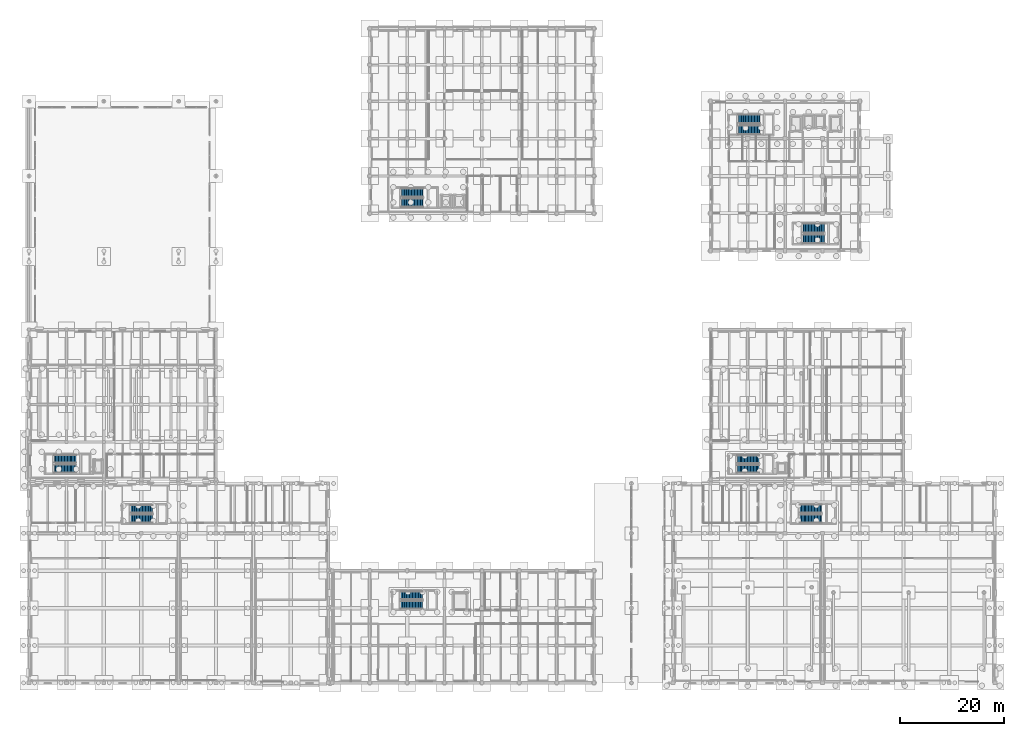
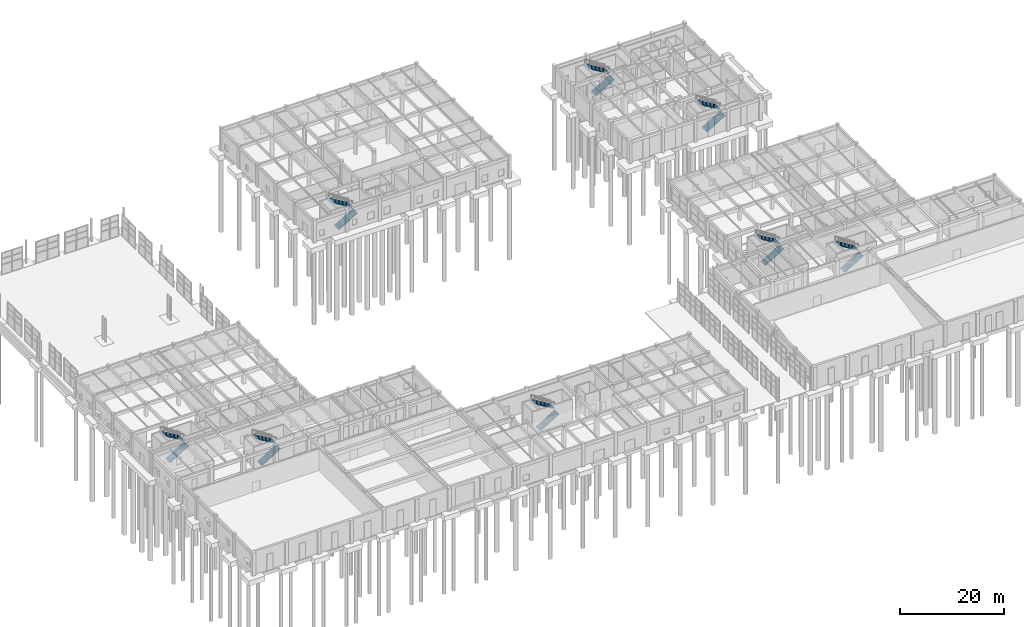
# One storey, part 79 of 91: 16 stair flights, 8 elements without a shape of their own.
"""IFC4 building model written with IfcOpenShell, lengths in metres."""

from ifc_helpers import new_model, si_unit, direction, frame, origin, place, context, subcontext, project, spatial, polyline, outline, extrude, material, type_object, element, aggregate, save


model = new_model("IFC4")

# Units and contexts
model_context = context("Model", 3, precision=1e-05, world=origin(), true_north=direction((0.0, 1.0)))
body_context = subcontext(model_context, "Body", "Model", "MODEL_VIEW")
ifc_project = project(units=[si_unit("LENGTHUNIT", "METRE"), si_unit("AREAUNIT", "SQUARE_METRE"), si_unit("VOLUMEUNIT", "CUBIC_METRE"), si_unit("PLANEANGLEUNIT", "RADIAN"), si_unit("MASSUNIT", "GRAM", prefix="KILO")], contexts=[model_context])

# Site, building, storey
site_placement = place(None, origin())
site = spatial("IfcSite", under=ifc_project, at=site_placement, CompositionType="ELEMENT")
building_placement = place(site_placement, origin())
building = spatial("IfcBuilding", under=site, at=building_placement, Name="Bramveld Media Centre", CompositionType="ELEMENT")
storey_placement = place(building_placement, origin())
storey = spatial("IfcBuildingStorey", under=building, at=storey_placement, Name="L00", CompositionType="ELEMENT", Elevation=0.0)

# Stair, stair flights
ifc_material_1 = material(Name="Concrete C40/50", Category="concrete")
stair_type_1 = type_object("IfcStairType", Name="STAIR-ST-01-32R-1800", PredefinedType="HALF_TURN_STAIR", material=ifc_material_1)
stair_1_placement = place(storey_placement, origin())
stair_1 = element("IfcStair", 1, at=stair_1_placement, inside=storey, type_object=stair_type_1, Name="L00 Core A1 Pressurized Firefighting Stair", PredefinedType="HALF_TURN_STAIR")
ifc_material_2 = material(Name="Concrete C40/50", Category="concrete")
stair_flight_type_1 = type_object("IfcStairFlightType", Name="FLIGHT-ST-01-16R-1688", PredefinedType="STRAIGHT", material=ifc_material_2)
stair_flight_1_placement = place(storey_placement, frame((136.60009765625, 106.5, 0.0), z_axis=(0.0, 0.0, 1.0), x_axis=(1.0, 0.0, 0.0)))
stair_flight_1 = element("IfcStairFlight", 2, at=stair_flight_1_placement, type_object=stair_flight_type_1, Name="ST-01 flight 1", NumberOfRisers=16, NumberOfTreads=15, PredefinedType="STRAIGHT", RiserHeight=0.16875, TreadLength=0.28, context=body_context, shape_type="SweptSolid", body=[
    extrude(outline(polyline([(0.0, 0.0), (0.0, 0.168701171875), (0.280029296875, 0.168701171875), (0.280029296875, 0.33740234375), (0.56005859375, 0.33740234375), (0.56005859375, 0.50634765625), (0.840087890625, 0.50634765625), (0.840087890625, 0.675048828125), (1.1201171875, 0.675048828125), (1.1201171875, 0.84375), (1.39990234375, 0.84375), (1.39990234375, 1.012451171875), (1.679931640625, 1.012451171875), (1.679931640625, 1.18115234375), (1.9599609375, 1.18115234375), (1.9599609375, 1.35009765625), (2.239990234375, 1.35009765625), (2.239990234375, 1.518798828125), (2.52001953125, 1.518798828125), (2.52001953125, 1.6875), (2.800048828125, 1.6875), (2.800048828125, 1.856201171875), (3.080078125, 1.856201171875), (3.080078125, 2.02490234375), (3.360107421875, 2.02490234375), (3.360107421875, 2.19384765625), (3.639892578125, 2.19384765625), (3.639892578125, 2.362548828125), (3.919921875, 2.362548828125), (3.919921875, 2.53125), (4.199951171875, 2.53125), (4.199951171875, 2.699951171875), (4.199951171875, 2.344482421875), (0.309814453125, 0.0), (0.0, 0.0)])), frame((0.0, 0.89990234375, 0.0), z_axis=(0.0, -1.0, 0.0), x_axis=(1.0, 0.0, 0.0)), (0.0, 0.0, 1.0), 1.800048828125),
])
stair_flight_2_placement = place(storey_placement, frame((140.800048828125, 108.550048828125, 2.699951171875), z_axis=(0.0, 0.0, 1.0), x_axis=(-1.0, 0.0, 0.0)))
stair_flight_2 = element("IfcStairFlight", 3, at=stair_flight_2_placement, type_object=stair_flight_type_1, Name="ST-01 flight 2", NumberOfRisers=16, NumberOfTreads=15, PredefinedType="STRAIGHT", RiserHeight=0.16875, TreadLength=0.28, context=body_context, shape_type="SweptSolid", body=[
    extrude(outline(polyline([(0.0, 0.0), (0.0, 0.168701171875), (0.280029296875, 0.168701171875), (0.280029296875, 0.33740234375), (0.56005859375, 0.33740234375), (0.56005859375, 0.50634765625), (0.840087890625, 0.50634765625), (0.840087890625, 0.675048828125), (1.1201171875, 0.675048828125), (1.1201171875, 0.84375), (1.39990234375, 0.84375), (1.39990234375, 1.012451171875), (1.679931640625, 1.012451171875), (1.679931640625, 1.18115234375), (1.9599609375, 1.18115234375), (1.9599609375, 1.35009765625), (2.239990234375, 1.35009765625), (2.239990234375, 1.518798828125), (2.52001953125, 1.518798828125), (2.52001953125, 1.6875), (2.800048828125, 1.6875), (2.800048828125, 1.856201171875), (3.080078125, 1.856201171875), (3.080078125, 2.02490234375), (3.360107421875, 2.02490234375), (3.360107421875, 2.19384765625), (3.639892578125, 2.19384765625), (3.639892578125, 2.362548828125), (3.919921875, 2.362548828125), (3.919921875, 2.53125), (4.199951171875, 2.53125), (4.199951171875, 2.699951171875), (4.199951171875, 2.344482421875), (0.309814453125, 0.0), (0.0, 0.0)])), frame((0.0, 0.89990234375, 0.0), z_axis=(0.0, -1.0, 0.0), x_axis=(1.0, 0.0, 0.0)), (0.0, 0.0, 1.0), 1.800048828125),
])
aggregate(stair_1, [stair_flight_1, stair_flight_2])

ifc_material_3 = material(Name="Concrete C40/50", Category="concrete")
stair_type_2 = type_object("IfcStairType", Name="STAIR-ST-02-32R-1800", PredefinedType="HALF_TURN_STAIR", material=ifc_material_3)
stair_2_placement = place(storey_placement, origin())
stair_2 = element("IfcStair", 4, at=stair_2_placement, inside=storey, type_object=stair_type_2, Name="L00 Core A2 Pressurized Escape Stair", PredefinedType="HALF_TURN_STAIR")
ifc_material_4 = material(Name="Concrete C40/50", Category="concrete")
stair_flight_type_2 = type_object("IfcStairFlightType", Name="FLIGHT-ST-02-16R-1688", PredefinedType="STRAIGHT", material=ifc_material_4)
stair_flight_3_placement = place(storey_placement, frame((149.0, 85.5, 0.0), z_axis=(0.0, 0.0, 1.0), x_axis=(1.0, 0.0, 0.0)))
stair_flight_3 = element("IfcStairFlight", 5, at=stair_flight_3_placement, type_object=stair_flight_type_2, Name="ST-02 flight 1", NumberOfRisers=16, NumberOfTreads=15, PredefinedType="STRAIGHT", RiserHeight=0.16875, TreadLength=0.28, context=body_context, shape_type="SweptSolid", body=[
    extrude(outline(polyline([(0.0, 0.0), (0.0, 0.168701171875), (0.280029296875, 0.168701171875), (0.280029296875, 0.33740234375), (0.56005859375, 0.33740234375), (0.56005859375, 0.50634765625), (0.840087890625, 0.50634765625), (0.840087890625, 0.675048828125), (1.1201171875, 0.675048828125), (1.1201171875, 0.84375), (1.39990234375, 0.84375), (1.39990234375, 1.012451171875), (1.679931640625, 1.012451171875), (1.679931640625, 1.18115234375), (1.9599609375, 1.18115234375), (1.9599609375, 1.35009765625), (2.239990234375, 1.35009765625), (2.239990234375, 1.518798828125), (2.52001953125, 1.518798828125), (2.52001953125, 1.6875), (2.800048828125, 1.6875), (2.800048828125, 1.856201171875), (3.080078125, 1.856201171875), (3.080078125, 2.02490234375), (3.360107421875, 2.02490234375), (3.360107421875, 2.19384765625), (3.639892578125, 2.19384765625), (3.639892578125, 2.362548828125), (3.919921875, 2.362548828125), (3.919921875, 2.53125), (4.199951171875, 2.53125), (4.199951171875, 2.699951171875), (4.199951171875, 2.344482421875), (0.309814453125, 0.0), (0.0, 0.0)])), frame((0.0, 0.89990234375, 0.0), z_axis=(0.0, -1.0, 0.0), x_axis=(1.0, 0.0, 0.0)), (0.0, 0.0, 1.0), 1.800048828125),
])
stair_flight_4_placement = place(storey_placement, frame((153.199951171875, 87.550048828125, 2.699951171875), z_axis=(0.0, 0.0, 1.0), x_axis=(-1.0, 0.0, 0.0)))
stair_flight_4 = element("IfcStairFlight", 6, at=stair_flight_4_placement, type_object=stair_flight_type_2, Name="ST-02 flight 2", NumberOfRisers=16, NumberOfTreads=15, PredefinedType="STRAIGHT", RiserHeight=0.16875, TreadLength=0.28, context=body_context, shape_type="SweptSolid", body=[
    extrude(outline(polyline([(0.0, 0.0), (0.0, 0.168701171875), (0.280029296875, 0.168701171875), (0.280029296875, 0.33740234375), (0.56005859375, 0.33740234375), (0.56005859375, 0.50634765625), (0.840087890625, 0.50634765625), (0.840087890625, 0.675048828125), (1.1201171875, 0.675048828125), (1.1201171875, 0.84375), (1.39990234375, 0.84375), (1.39990234375, 1.012451171875), (1.679931640625, 1.012451171875), (1.679931640625, 1.18115234375), (1.9599609375, 1.18115234375), (1.9599609375, 1.35009765625), (2.239990234375, 1.35009765625), (2.239990234375, 1.518798828125), (2.52001953125, 1.518798828125), (2.52001953125, 1.6875), (2.800048828125, 1.6875), (2.800048828125, 1.856201171875), (3.080078125, 1.856201171875), (3.080078125, 2.02490234375), (3.360107421875, 2.02490234375), (3.360107421875, 2.19384765625), (3.639892578125, 2.19384765625), (3.639892578125, 2.362548828125), (3.919921875, 2.362548828125), (3.919921875, 2.53125), (4.199951171875, 2.53125), (4.199951171875, 2.699951171875), (4.199951171875, 2.344482421875), (0.309814453125, 0.0), (0.0, 0.0)])), frame((0.0, 0.89990234375, 0.0), z_axis=(0.0, -1.0, 0.0), x_axis=(1.0, 0.0, 0.0)), (0.0, 0.0, 1.0), 1.800048828125),
])
aggregate(stair_2, [stair_flight_3, stair_flight_4])

ifc_material_5 = material(Name="Concrete C40/50", Category="concrete")
stair_type_3 = type_object("IfcStairType", Name="STAIR-ST-03-32R-1650", PredefinedType="HALF_TURN_STAIR", material=ifc_material_5)
stair_3_placement = place(storey_placement, origin())
stair_3 = element("IfcStair", 7, at=stair_3_placement, inside=storey, type_object=stair_type_3, Name="L00 Grand Cinema Wing Escape Stair", PredefinedType="HALF_TURN_STAIR")
ifc_material_6 = material(Name="Concrete C40/50", Category="concrete")
stair_flight_type_3 = type_object("IfcStairFlightType", Name="FLIGHT-ST-03-16R-1688", PredefinedType="STRAIGHT", material=ifc_material_6)
stair_flight_5_placement = place(storey_placement, frame((148.449951171875, 31.625, 0.0), z_axis=(0.0, 0.0, 1.0), x_axis=(1.0, 0.0, 0.0)))
stair_flight_5 = element("IfcStairFlight", 8, at=stair_flight_5_placement, type_object=stair_flight_type_3, Name="ST-03 flight 1", NumberOfRisers=16, NumberOfTreads=15, PredefinedType="STRAIGHT", RiserHeight=0.16875, TreadLength=0.28, context=body_context, shape_type="SweptSolid", body=[
    extrude(outline(polyline([(0.0, 0.0), (0.0, 0.168701171875), (0.280029296875, 0.168701171875), (0.280029296875, 0.33740234375), (0.56005859375, 0.33740234375), (0.56005859375, 0.50634765625), (0.840087890625, 0.50634765625), (0.840087890625, 0.675048828125), (1.1201171875, 0.675048828125), (1.1201171875, 0.84375), (1.39990234375, 0.84375), (1.39990234375, 1.012451171875), (1.679931640625, 1.012451171875), (1.679931640625, 1.18115234375), (1.9599609375, 1.18115234375), (1.9599609375, 1.35009765625), (2.239990234375, 1.35009765625), (2.239990234375, 1.518798828125), (2.52001953125, 1.518798828125), (2.52001953125, 1.6875), (2.800048828125, 1.6875), (2.800048828125, 1.856201171875), (3.080078125, 1.856201171875), (3.080078125, 2.02490234375), (3.360107421875, 2.02490234375), (3.360107421875, 2.19384765625), (3.639892578125, 2.19384765625), (3.639892578125, 2.362548828125), (3.919921875, 2.362548828125), (3.919921875, 2.53125), (4.199951171875, 2.53125), (4.199951171875, 2.699951171875), (4.199951171875, 2.344482421875), (0.309814453125, 0.0), (0.0, 0.0)])), frame((0.0, 0.824951171875, 0.0), z_axis=(0.0, -1.0, 0.0), x_axis=(1.0, 0.0, 0.0)), (0.0, 0.0, 1.0), 1.64990234375),
])
stair_flight_6_placement = place(storey_placement, frame((152.64990234375, 33.52490234375, 2.699951171875), z_axis=(0.0, 0.0, 1.0), x_axis=(-1.0, 0.0, 0.0)))
stair_flight_6 = element("IfcStairFlight", 9, at=stair_flight_6_placement, type_object=stair_flight_type_3, Name="ST-03 flight 2", NumberOfRisers=16, NumberOfTreads=15, PredefinedType="STRAIGHT", RiserHeight=0.16875, TreadLength=0.28, context=body_context, shape_type="SweptSolid", body=[
    extrude(outline(polyline([(0.0, 0.0), (0.0, 0.168701171875), (0.280029296875, 0.168701171875), (0.280029296875, 0.33740234375), (0.56005859375, 0.33740234375), (0.56005859375, 0.50634765625), (0.840087890625, 0.50634765625), (0.840087890625, 0.675048828125), (1.1201171875, 0.675048828125), (1.1201171875, 0.84375), (1.39990234375, 0.84375), (1.39990234375, 1.012451171875), (1.679931640625, 1.012451171875), (1.679931640625, 1.18115234375), (1.9599609375, 1.18115234375), (1.9599609375, 1.35009765625), (2.239990234375, 1.35009765625), (2.239990234375, 1.518798828125), (2.52001953125, 1.518798828125), (2.52001953125, 1.6875), (2.800048828125, 1.6875), (2.800048828125, 1.856201171875), (3.080078125, 1.856201171875), (3.080078125, 2.02490234375), (3.360107421875, 2.02490234375), (3.360107421875, 2.19384765625), (3.639892578125, 2.19384765625), (3.639892578125, 2.362548828125), (3.919921875, 2.362548828125), (3.919921875, 2.53125), (4.199951171875, 2.53125), (4.199951171875, 2.699951171875), (4.199951171875, 2.344482421875), (0.309814453125, 0.0), (0.0, 0.0)])), frame((0.0, 0.824951171875, 0.0), z_axis=(0.0, -1.0, 0.0), x_axis=(1.0, 0.0, 0.0)), (0.0, 0.0, 1.0), 1.64990234375),
])
aggregate(stair_3, [stair_flight_5, stair_flight_6])

ifc_material_7 = material(Name="Concrete C40/50", Category="concrete")
stair_type_4 = type_object("IfcStairType", Name="STAIR-ST-04-32R-1650", PredefinedType="HALF_TURN_STAIR", material=ifc_material_7)
stair_4_placement = place(storey_placement, origin())
stair_4 = element("IfcStair", 10, at=stair_4_placement, inside=storey, type_object=stair_type_4, Name="L00 Repertory Cinema & Rooftop Terrace Stair", PredefinedType="HALF_TURN_STAIR")
ifc_material_8 = material(Name="Concrete C40/50", Category="concrete")
stair_flight_type_4 = type_object("IfcStairFlightType", Name="FLIGHT-ST-04-16R-1688", PredefinedType="STRAIGHT", material=ifc_material_8)
stair_flight_7_placement = place(storey_placement, frame((4.85009765625, 41.22509765625, 0.0), z_axis=(0.0, 0.0, 1.0), x_axis=(1.0, 0.0, 0.0)))
stair_flight_7 = element("IfcStairFlight", 11, at=stair_flight_7_placement, type_object=stair_flight_type_4, Name="ST-04 flight 1", NumberOfRisers=16, NumberOfTreads=15, PredefinedType="STRAIGHT", RiserHeight=0.16875, TreadLength=0.28, context=body_context, shape_type="SweptSolid", body=[
    extrude(outline(polyline([(0.0, 0.0), (0.0, 0.168701171875), (0.280029296875, 0.168701171875), (0.280029296875, 0.33740234375), (0.56005859375, 0.33740234375), (0.56005859375, 0.50634765625), (0.840087890625, 0.50634765625), (0.840087890625, 0.675048828125), (1.1201171875, 0.675048828125), (1.1201171875, 0.84375), (1.39990234375, 0.84375), (1.39990234375, 1.012451171875), (1.679931640625, 1.012451171875), (1.679931640625, 1.18115234375), (1.9599609375, 1.18115234375), (1.9599609375, 1.35009765625), (2.239990234375, 1.35009765625), (2.239990234375, 1.518798828125), (2.52001953125, 1.518798828125), (2.52001953125, 1.6875), (2.800048828125, 1.6875), (2.800048828125, 1.856201171875), (3.080078125, 1.856201171875), (3.080078125, 2.02490234375), (3.360107421875, 2.02490234375), (3.360107421875, 2.19384765625), (3.639892578125, 2.19384765625), (3.639892578125, 2.362548828125), (3.919921875, 2.362548828125), (3.919921875, 2.53125), (4.199951171875, 2.53125), (4.199951171875, 2.699951171875), (4.199951171875, 2.344482421875), (0.309814453125, 0.0), (0.0, 0.0)])), frame((0.0, 0.824951171875, 0.0), z_axis=(0.0, -1.0, 0.0), x_axis=(1.0, 0.0, 0.0)), (0.0, 0.0, 1.0), 1.64990234375),
])
stair_flight_8_placement = place(storey_placement, frame((9.050048828125, 43.125, 2.699951171875), z_axis=(0.0, 0.0, 1.0), x_axis=(-1.0, 0.0, 0.0)))
stair_flight_8 = element("IfcStairFlight", 12, at=stair_flight_8_placement, type_object=stair_flight_type_4, Name="ST-04 flight 2", NumberOfRisers=16, NumberOfTreads=15, PredefinedType="STRAIGHT", RiserHeight=0.16875, TreadLength=0.28, context=body_context, shape_type="SweptSolid", body=[
    extrude(outline(polyline([(0.0, 0.0), (0.0, 0.168701171875), (0.280029296875, 0.168701171875), (0.280029296875, 0.33740234375), (0.56005859375, 0.33740234375), (0.56005859375, 0.50634765625), (0.840087890625, 0.50634765625), (0.840087890625, 0.675048828125), (1.1201171875, 0.675048828125), (1.1201171875, 0.84375), (1.39990234375, 0.84375), (1.39990234375, 1.012451171875), (1.679931640625, 1.012451171875), (1.679931640625, 1.18115234375), (1.9599609375, 1.18115234375), (1.9599609375, 1.35009765625), (2.239990234375, 1.35009765625), (2.239990234375, 1.518798828125), (2.52001953125, 1.518798828125), (2.52001953125, 1.6875), (2.800048828125, 1.6875), (2.800048828125, 1.856201171875), (3.080078125, 1.856201171875), (3.080078125, 2.02490234375), (3.360107421875, 2.02490234375), (3.360107421875, 2.19384765625), (3.639892578125, 2.19384765625), (3.639892578125, 2.362548828125), (3.919921875, 2.362548828125), (3.919921875, 2.53125), (4.199951171875, 2.53125), (4.199951171875, 2.699951171875), (4.199951171875, 2.344482421875), (0.309814453125, 0.0), (0.0, 0.0)])), frame((0.0, 0.824951171875, 0.0), z_axis=(0.0, -1.0, 0.0), x_axis=(1.0, 0.0, 0.0)), (0.0, 0.0, 1.0), 1.64990234375),
])
aggregate(stair_4, [stair_flight_7, stair_flight_8])

ifc_material_9 = material(Name="Concrete C40/50", Category="concrete")
stair_type_5 = type_object("IfcStairType", Name="STAIR-ST-05-32R-1600", PredefinedType="HALF_TURN_STAIR", material=ifc_material_9)
stair_5_placement = place(storey_placement, origin())
stair_5 = element("IfcStair", 13, at=stair_5_placement, inside=storey, type_object=stair_type_5, Name="L00 Broadcast Studio Gallery Stair", PredefinedType="HALF_TURN_STAIR")
ifc_material_10 = material(Name="Concrete C40/50", Category="concrete")
stair_flight_type_5 = type_object("IfcStairFlightType", Name="FLIGHT-ST-05-16R-1688", PredefinedType="STRAIGHT", material=ifc_material_10)
stair_flight_9_placement = place(storey_placement, frame((19.60009765625, 31.60009765625, 0.0), z_axis=(0.0, 0.0, 1.0), x_axis=(1.0, 0.0, 0.0)))
stair_flight_9 = element("IfcStairFlight", 14, at=stair_flight_9_placement, type_object=stair_flight_type_5, Name="ST-05 flight 1", NumberOfRisers=16, NumberOfTreads=15, PredefinedType="STRAIGHT", RiserHeight=0.16875, TreadLength=0.28, context=body_context, shape_type="SweptSolid", body=[
    extrude(outline(polyline([(0.0, 0.0), (0.0, 0.168701171875), (0.280029296875, 0.168701171875), (0.280029296875, 0.33740234375), (0.56005859375, 0.33740234375), (0.56005859375, 0.50634765625), (0.840087890625, 0.50634765625), (0.840087890625, 0.675048828125), (1.1201171875, 0.675048828125), (1.1201171875, 0.84375), (1.39990234375, 0.84375), (1.39990234375, 1.012451171875), (1.679931640625, 1.012451171875), (1.679931640625, 1.18115234375), (1.9599609375, 1.18115234375), (1.9599609375, 1.35009765625), (2.239990234375, 1.35009765625), (2.239990234375, 1.518798828125), (2.52001953125, 1.518798828125), (2.52001953125, 1.6875), (2.800048828125, 1.6875), (2.800048828125, 1.856201171875), (3.080078125, 1.856201171875), (3.080078125, 2.02490234375), (3.360107421875, 2.02490234375), (3.360107421875, 2.19384765625), (3.639892578125, 2.19384765625), (3.639892578125, 2.362548828125), (3.919921875, 2.362548828125), (3.919921875, 2.53125), (4.199951171875, 2.53125), (4.199951171875, 2.699951171875), (4.199951171875, 2.344482421875), (0.309814453125, 0.0), (0.0, 0.0)])), frame((0.0, 0.800048828125, 0.0), z_axis=(0.0, -1.0, 0.0), x_axis=(1.0, 0.0, 0.0)), (0.0, 0.0, 1.0), 1.60009765625),
])
stair_flight_10_placement = place(storey_placement, frame((23.800048828125, 33.449951171875, 2.699951171875), z_axis=(0.0, 0.0, 1.0), x_axis=(-1.0, 0.0, 0.0)))
stair_flight_10 = element("IfcStairFlight", 15, at=stair_flight_10_placement, type_object=stair_flight_type_5, Name="ST-05 flight 2", NumberOfRisers=16, NumberOfTreads=15, PredefinedType="STRAIGHT", RiserHeight=0.16875, TreadLength=0.28, context=body_context, shape_type="SweptSolid", body=[
    extrude(outline(polyline([(0.0, 0.0), (0.0, 0.168701171875), (0.280029296875, 0.168701171875), (0.280029296875, 0.33740234375), (0.56005859375, 0.33740234375), (0.56005859375, 0.50634765625), (0.840087890625, 0.50634765625), (0.840087890625, 0.675048828125), (1.1201171875, 0.675048828125), (1.1201171875, 0.84375), (1.39990234375, 0.84375), (1.39990234375, 1.012451171875), (1.679931640625, 1.012451171875), (1.679931640625, 1.18115234375), (1.9599609375, 1.18115234375), (1.9599609375, 1.35009765625), (2.239990234375, 1.35009765625), (2.239990234375, 1.518798828125), (2.52001953125, 1.518798828125), (2.52001953125, 1.6875), (2.800048828125, 1.6875), (2.800048828125, 1.856201171875), (3.080078125, 1.856201171875), (3.080078125, 2.02490234375), (3.360107421875, 2.02490234375), (3.360107421875, 2.19384765625), (3.639892578125, 2.19384765625), (3.639892578125, 2.362548828125), (3.919921875, 2.362548828125), (3.919921875, 2.53125), (4.199951171875, 2.53125), (4.199951171875, 2.699951171875), (4.199951171875, 2.344482421875), (0.309814453125, 0.0), (0.0, 0.0)])), frame((0.0, 0.800048828125, 0.0), z_axis=(0.0, -1.0, 0.0), x_axis=(1.0, 0.0, 0.0)), (0.0, 0.0, 1.0), 1.60009765625),
])
aggregate(stair_5, [stair_flight_9, stair_flight_10])

ifc_material_11 = material(Name="Concrete C40/50", Category="concrete")
stair_type_6 = type_object("IfcStairType", Name="STAIR-ST-06-32R-1600", PredefinedType="HALF_TURN_STAIR", material=ifc_material_11)
stair_6_placement = place(storey_placement, origin())
stair_6 = element("IfcStair", 16, at=stair_6_placement, inside=storey, type_object=stair_type_6, Name="L00 Mediatheque & Vault Wing Stair", PredefinedType="HALF_TURN_STAIR")
ifc_material_12 = material(Name="Concrete C40/50", Category="concrete")
stair_flight_type_6 = type_object("IfcStairFlightType", Name="FLIGHT-ST-06-16R-1688", PredefinedType="STRAIGHT", material=ifc_material_12)
stair_flight_11_placement = place(storey_placement, frame((71.60009765625, 15.0, 0.0), z_axis=(0.0, 0.0, 1.0), x_axis=(1.0, 0.0, 0.0)))
stair_flight_11 = element("IfcStairFlight", 17, at=stair_flight_11_placement, type_object=stair_flight_type_6, Name="ST-06 flight 1", NumberOfRisers=16, NumberOfTreads=15, PredefinedType="STRAIGHT", RiserHeight=0.16875, TreadLength=0.28, context=body_context, shape_type="SweptSolid", body=[
    extrude(outline(polyline([(0.0, 0.0), (0.0, 0.168701171875), (0.280029296875, 0.168701171875), (0.280029296875, 0.33740234375), (0.56005859375, 0.33740234375), (0.56005859375, 0.50634765625), (0.840087890625, 0.50634765625), (0.840087890625, 0.675048828125), (1.1201171875, 0.675048828125), (1.1201171875, 0.84375), (1.39990234375, 0.84375), (1.39990234375, 1.012451171875), (1.679931640625, 1.012451171875), (1.679931640625, 1.18115234375), (1.9599609375, 1.18115234375), (1.9599609375, 1.35009765625), (2.239990234375, 1.35009765625), (2.239990234375, 1.518798828125), (2.52001953125, 1.518798828125), (2.52001953125, 1.6875), (2.800048828125, 1.6875), (2.800048828125, 1.856201171875), (3.080078125, 1.856201171875), (3.080078125, 2.02490234375), (3.360107421875, 2.02490234375), (3.360107421875, 2.19384765625), (3.639892578125, 2.19384765625), (3.639892578125, 2.362548828125), (3.919921875, 2.362548828125), (3.919921875, 2.53125), (4.199951171875, 2.53125), (4.199951171875, 2.699951171875), (4.199951171875, 2.344482421875), (0.309814453125, 0.0), (0.0, 0.0)])), frame((0.0, 0.800048828125, 0.0), z_axis=(0.0, -1.0, 0.0), x_axis=(1.0, 0.0, 0.0)), (0.0, 0.0, 1.0), 1.60009765625),
])
stair_flight_12_placement = place(storey_placement, frame((75.800048828125, 16.85009765625, 2.699951171875), z_axis=(0.0, 0.0, 1.0), x_axis=(-1.0, 0.0, 0.0)))
stair_flight_12 = element("IfcStairFlight", 18, at=stair_flight_12_placement, type_object=stair_flight_type_6, Name="ST-06 flight 2", NumberOfRisers=16, NumberOfTreads=15, PredefinedType="STRAIGHT", RiserHeight=0.16875, TreadLength=0.28, context=body_context, shape_type="SweptSolid", body=[
    extrude(outline(polyline([(0.0, 0.0), (0.0, 0.168701171875), (0.280029296875, 0.168701171875), (0.280029296875, 0.33740234375), (0.56005859375, 0.33740234375), (0.56005859375, 0.50634765625), (0.840087890625, 0.50634765625), (0.840087890625, 0.675048828125), (1.1201171875, 0.675048828125), (1.1201171875, 0.84375), (1.39990234375, 0.84375), (1.39990234375, 1.012451171875), (1.679931640625, 1.012451171875), (1.679931640625, 1.18115234375), (1.9599609375, 1.18115234375), (1.9599609375, 1.35009765625), (2.239990234375, 1.35009765625), (2.239990234375, 1.518798828125), (2.52001953125, 1.518798828125), (2.52001953125, 1.6875), (2.800048828125, 1.6875), (2.800048828125, 1.856201171875), (3.080078125, 1.856201171875), (3.080078125, 2.02490234375), (3.360107421875, 2.02490234375), (3.360107421875, 2.19384765625), (3.639892578125, 2.19384765625), (3.639892578125, 2.362548828125), (3.919921875, 2.362548828125), (3.919921875, 2.53125), (4.199951171875, 2.53125), (4.199951171875, 2.699951171875), (4.199951171875, 2.344482421875), (0.309814453125, 0.0), (0.0, 0.0)])), frame((0.0, 0.800048828125, 0.0), z_axis=(0.0, -1.0, 0.0), x_axis=(1.0, 0.0, 0.0)), (0.0, 0.0, 1.0), 1.60009765625),
])
aggregate(stair_6, [stair_flight_11, stair_flight_12])

ifc_material_13 = material(Name="Concrete C40/50", Category="concrete")
stair_type_7 = type_object("IfcStairType", Name="STAIR-ST-07-32R-1700", PredefinedType="HALF_TURN_STAIR", material=ifc_material_13)
stair_7_placement = place(storey_placement, origin())
stair_7 = element("IfcStair", 19, at=stair_7_placement, inside=storey, type_object=stair_type_7, Name="L00 Exhibition & Sound Lab Primary Stair", PredefinedType="HALF_TURN_STAIR")
ifc_material_14 = material(Name="Concrete C40/50", Category="concrete")
stair_flight_type_7 = type_object("IfcStairFlightType", Name="FLIGHT-ST-07-16R-1688", PredefinedType="STRAIGHT", material=ifc_material_14)
stair_flight_13_placement = place(storey_placement, frame((71.699951171875, 92.449951171875, 0.0), z_axis=(0.0, 0.0, 1.0), x_axis=(1.0, 0.0, 0.0)))
stair_flight_13 = element("IfcStairFlight", 20, at=stair_flight_13_placement, type_object=stair_flight_type_7, Name="ST-07 flight 1", NumberOfRisers=16, NumberOfTreads=15, PredefinedType="STRAIGHT", RiserHeight=0.16875, TreadLength=0.28, context=body_context, shape_type="SweptSolid", body=[
    extrude(outline(polyline([(0.0, 0.0), (0.0, 0.168701171875), (0.280029296875, 0.168701171875), (0.280029296875, 0.33740234375), (0.56005859375, 0.33740234375), (0.56005859375, 0.50634765625), (0.840087890625, 0.50634765625), (0.840087890625, 0.675048828125), (1.1201171875, 0.675048828125), (1.1201171875, 0.84375), (1.39990234375, 0.84375), (1.39990234375, 1.012451171875), (1.679931640625, 1.012451171875), (1.679931640625, 1.18115234375), (1.9599609375, 1.18115234375), (1.9599609375, 1.35009765625), (2.239990234375, 1.35009765625), (2.239990234375, 1.518798828125), (2.52001953125, 1.518798828125), (2.52001953125, 1.6875), (2.800048828125, 1.6875), (2.800048828125, 1.856201171875), (3.080078125, 1.856201171875), (3.080078125, 2.02490234375), (3.360107421875, 2.02490234375), (3.360107421875, 2.19384765625), (3.639892578125, 2.19384765625), (3.639892578125, 2.362548828125), (3.919921875, 2.362548828125), (3.919921875, 2.53125), (4.199951171875, 2.53125), (4.199951171875, 2.699951171875), (4.199951171875, 2.344482421875), (0.309814453125, 0.0), (0.0, 0.0)])), frame((0.0, 0.85009765625, 0.0), z_axis=(0.0, -1.0, 0.0), x_axis=(1.0, 0.0, 0.0)), (0.0, 0.0, 1.0), 1.699951171875),
])
stair_flight_14_placement = place(storey_placement, frame((75.89990234375, 94.39990234375, 2.699951171875), z_axis=(0.0, 0.0, 1.0), x_axis=(-1.0, 0.0, 0.0)))
stair_flight_14 = element("IfcStairFlight", 21, at=stair_flight_14_placement, type_object=stair_flight_type_7, Name="ST-07 flight 2", NumberOfRisers=16, NumberOfTreads=15, PredefinedType="STRAIGHT", RiserHeight=0.16875, TreadLength=0.28, context=body_context, shape_type="SweptSolid", body=[
    extrude(outline(polyline([(0.0, 0.0), (0.0, 0.168701171875), (0.280029296875, 0.168701171875), (0.280029296875, 0.33740234375), (0.56005859375, 0.33740234375), (0.56005859375, 0.50634765625), (0.840087890625, 0.50634765625), (0.840087890625, 0.675048828125), (1.1201171875, 0.675048828125), (1.1201171875, 0.84375), (1.39990234375, 0.84375), (1.39990234375, 1.012451171875), (1.679931640625, 1.012451171875), (1.679931640625, 1.18115234375), (1.9599609375, 1.18115234375), (1.9599609375, 1.35009765625), (2.239990234375, 1.35009765625), (2.239990234375, 1.518798828125), (2.52001953125, 1.518798828125), (2.52001953125, 1.6875), (2.800048828125, 1.6875), (2.800048828125, 1.856201171875), (3.080078125, 1.856201171875), (3.080078125, 2.02490234375), (3.360107421875, 2.02490234375), (3.360107421875, 2.19384765625), (3.639892578125, 2.19384765625), (3.639892578125, 2.362548828125), (3.919921875, 2.362548828125), (3.919921875, 2.53125), (4.199951171875, 2.53125), (4.199951171875, 2.699951171875), (4.199951171875, 2.344482421875), (0.309814453125, 0.0), (0.0, 0.0)])), frame((0.0, 0.85009765625, 0.0), z_axis=(0.0, -1.0, 0.0), x_axis=(1.0, 0.0, 0.0)), (0.0, 0.0, 1.0), 1.699951171875),
])
aggregate(stair_7, [stair_flight_13, stair_flight_14])

ifc_material_15 = material(Name="Concrete C40/50", Category="concrete")
stair_type_8 = type_object("IfcStairType", Name="STAIR-ST-08-32R-1600", PredefinedType="HALF_TURN_STAIR", material=ifc_material_15)
stair_8_placement = place(storey_placement, origin())
stair_8 = element("IfcStair", 22, at=stair_8_placement, inside=storey, type_object=stair_type_8, Name="L00 Post-Production & Education Wing Stair", PredefinedType="HALF_TURN_STAIR")
ifc_material_16 = material(Name="Concrete C40/50", Category="concrete")
stair_flight_type_8 = type_object("IfcStairFlightType", Name="FLIGHT-ST-08-16R-1688", PredefinedType="STRAIGHT", material=ifc_material_16)
stair_flight_15_placement = place(storey_placement, frame((136.39990234375, 41.199951171875, 0.0), z_axis=(0.0, 0.0, 1.0), x_axis=(1.0, 0.0, 0.0)))
stair_flight_15 = element("IfcStairFlight", 23, at=stair_flight_15_placement, type_object=stair_flight_type_8, Name="ST-08 flight 1", NumberOfRisers=16, NumberOfTreads=15, PredefinedType="STRAIGHT", RiserHeight=0.16875, TreadLength=0.28, context=body_context, shape_type="SweptSolid", body=[
    extrude(outline(polyline([(0.0, 0.0), (0.0, 0.168701171875), (0.280029296875, 0.168701171875), (0.280029296875, 0.33740234375), (0.56005859375, 0.33740234375), (0.56005859375, 0.50634765625), (0.840087890625, 0.50634765625), (0.840087890625, 0.675048828125), (1.1201171875, 0.675048828125), (1.1201171875, 0.84375), (1.39990234375, 0.84375), (1.39990234375, 1.012451171875), (1.679931640625, 1.012451171875), (1.679931640625, 1.18115234375), (1.9599609375, 1.18115234375), (1.9599609375, 1.35009765625), (2.239990234375, 1.35009765625), (2.239990234375, 1.518798828125), (2.52001953125, 1.518798828125), (2.52001953125, 1.6875), (2.800048828125, 1.6875), (2.800048828125, 1.856201171875), (3.080078125, 1.856201171875), (3.080078125, 2.02490234375), (3.360107421875, 2.02490234375), (3.360107421875, 2.19384765625), (3.639892578125, 2.19384765625), (3.639892578125, 2.362548828125), (3.919921875, 2.362548828125), (3.919921875, 2.53125), (4.199951171875, 2.53125), (4.199951171875, 2.699951171875), (4.199951171875, 2.344482421875), (0.309814453125, 0.0), (0.0, 0.0)])), frame((0.0, 0.800048828125, 0.0), z_axis=(0.0, -1.0, 0.0), x_axis=(1.0, 0.0, 0.0)), (0.0, 0.0, 1.0), 1.60009765625),
])
stair_flight_16_placement = place(storey_placement, frame((140.60009765625, 43.050048828125, 2.699951171875), z_axis=(0.0, 0.0, 1.0), x_axis=(-1.0, 0.0, 0.0)))
stair_flight_16 = element("IfcStairFlight", 24, at=stair_flight_16_placement, type_object=stair_flight_type_8, Name="ST-08 flight 2", NumberOfRisers=16, NumberOfTreads=15, PredefinedType="STRAIGHT", RiserHeight=0.16875, TreadLength=0.28, context=body_context, shape_type="SweptSolid", body=[
    extrude(outline(polyline([(0.0, 0.0), (0.0, 0.168701171875), (0.280029296875, 0.168701171875), (0.280029296875, 0.33740234375), (0.56005859375, 0.33740234375), (0.56005859375, 0.50634765625), (0.840087890625, 0.50634765625), (0.840087890625, 0.675048828125), (1.1201171875, 0.675048828125), (1.1201171875, 0.84375), (1.39990234375, 0.84375), (1.39990234375, 1.012451171875), (1.679931640625, 1.012451171875), (1.679931640625, 1.18115234375), (1.9599609375, 1.18115234375), (1.9599609375, 1.35009765625), (2.239990234375, 1.35009765625), (2.239990234375, 1.518798828125), (2.52001953125, 1.518798828125), (2.52001953125, 1.6875), (2.800048828125, 1.6875), (2.800048828125, 1.856201171875), (3.080078125, 1.856201171875), (3.080078125, 2.02490234375), (3.360107421875, 2.02490234375), (3.360107421875, 2.19384765625), (3.639892578125, 2.19384765625), (3.639892578125, 2.362548828125), (3.919921875, 2.362548828125), (3.919921875, 2.53125), (4.199951171875, 2.53125), (4.199951171875, 2.699951171875), (4.199951171875, 2.344482421875), (0.309814453125, 0.0), (0.0, 0.0)])), frame((0.0, 0.800048828125, 0.0), z_axis=(0.0, -1.0, 0.0), x_axis=(1.0, 0.0, 0.0)), (0.0, 0.0, 1.0), 1.60009765625),
])
aggregate(stair_8, [stair_flight_15, stair_flight_16])

save(model, "model.ifc")
